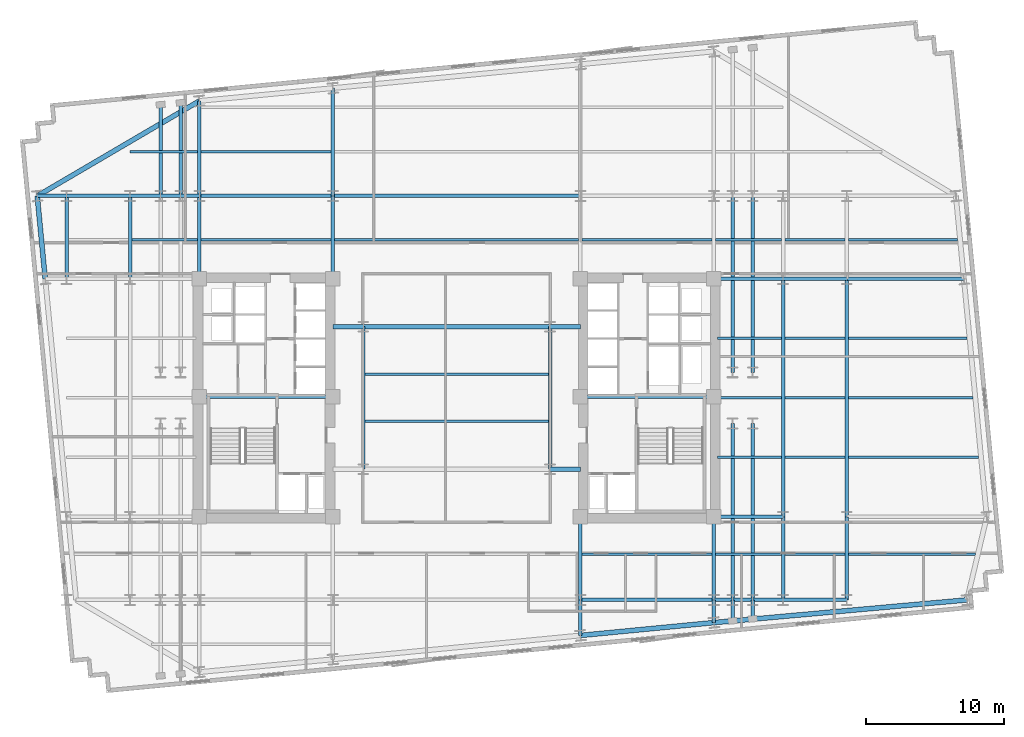
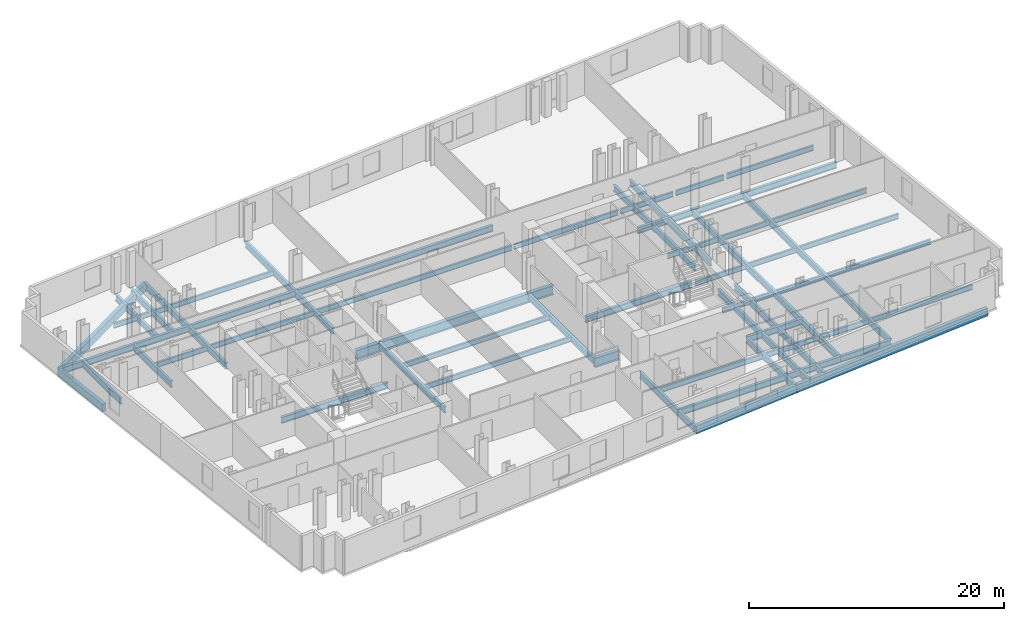
# One storey, part 2 of 10: 70 beams.
"""IFC4 building model written with IfcOpenShell, lengths in metres."""

from ifc_helpers import new_model, si_unit, direction, frame, origin, origin_2d, place, context, subcontext, project, spatial, rectangle, i_section, extrude, material, material_profile, profile_set, type_object, element, save


model = new_model("IFC4")

# Units and contexts
model_context = context("Model", 3, precision=1e-05, world=origin(), true_north=direction((0.0, 1.0)))
body_context = subcontext(model_context, "Body", "Model", "MODEL_VIEW")
ifc_project = project(units=[si_unit("LENGTHUNIT", "METRE"), si_unit("AREAUNIT", "SQUARE_METRE"), si_unit("VOLUMEUNIT", "CUBIC_METRE"), si_unit("PLANEANGLEUNIT", "RADIAN"), si_unit("MASSUNIT", "GRAM", prefix="KILO")], contexts=[model_context])

# Site, building, storey
site_placement = place(None, origin())
site = spatial("IfcSite", under=ifc_project, at=site_placement, CompositionType="ELEMENT")
building_placement = place(site_placement, origin())
building = spatial("IfcBuilding", under=site, at=building_placement, Name="Velakula Bourse", CompositionType="ELEMENT")
storey_placement = place(building_placement, frame((0.0, 0.0, 84.550048828125)))
storey = spatial("IfcBuildingStorey", under=building, at=storey_placement, Name="L22", CompositionType="ELEMENT", Elevation=84.550048828125)

# Beams
ifc_material_1 = material(Name="Steel IS 2062 Grade 350 (E350)", Category="steel")
ifc_material_profile_1 = material_profile(ifc_material_1, i_section(OverallWidth=0.25, OverallDepth=0.60009765625, WebThickness=0.01171875, FlangeThickness=0.023681640625, at=origin_2d()), Name="Steel IS 2062 Grade 350 (E350)")
ifc_profile_set_1 = profile_set([ifc_material_profile_1], Name="Steel IS 2062 Grade 350 (E350)")
beam_type_1 = type_object("IfcBeamType", Name="BM-GRD-600H", PredefinedType="BEAM", material=ifc_profile_set_1)
for number, where, z_axis, x_axis, name in (
    (1, (-18.60009765625, 0.10009765625, -0.47998046875), (1.0, 0.0, 0.0), (0.0, 1.0, 0.0), "L22 Primary Backbone Girder CRW-M"),
    (2, (8.949951171875, 0.10009765625, -0.47998046875), (1.0, 0.0, 0.0), (0.0, 1.0, 0.0), "L22 Primary Backbone Girder CRE-M"),
):
    element("IfcBeam", number, at=place(storey_placement, frame(where, z_axis=z_axis, x_axis=x_axis)), inside=storey, type_object=beam_type_1, Name=name, PredefinedType="BEAM", context=body_context, shape_type="SweptSolid", body=[
        extrude(i_section(OverallWidth=0.25, OverallDepth=0.60009765625, WebThickness=0.01171875, FlangeThickness=0.023681640625, at=origin_2d()), origin(), (0.0, 0.0, 1.0), 9.650146484375),
    ])
for number, where, z_axis, x_axis, name in (
    (3, (-6.75, -5.14990234375, -0.47998046875), (0.0, 1.0, 0.0), (-1.0, 0.0, 0.0), "L22 Primary Backbone Girder SPN-W"),
    (4, (6.75, -5.14990234375, -0.47998046875), (0.0, 1.0, 0.0), (-1.0, 0.0, 0.0), "L22 Primary Backbone Girder SPN-E"),
):
    element("IfcBeam", number, at=place(storey_placement, frame(where, z_axis=z_axis, x_axis=x_axis)), inside=storey, type_object=beam_type_1, Name=name, PredefinedType="BEAM", context=body_context, shape_type="SweptSolid", body=[
        extrude(i_section(OverallWidth=0.25, OverallDepth=0.60009765625, WebThickness=0.01171875, FlangeThickness=0.023681640625, at=origin_2d()), origin(), (0.0, 0.0, 1.0), 10.2998046875),
    ])
for number, where, z_axis, x_axis, name in (
    (5, (-18.60009765625, 8.60009765625, -0.47998046875), (0.0, 1.0, 0.0), (-1.0, 0.0, 0.0), "L22 Fulcrum Grid Girder FLC-WN"),
    (6, (-8.949951171875, 8.60009765625, -0.47998046875), (0.0, 1.0, 0.0), (-1.0, 0.0, 0.0), "L22 Fulcrum Grid Girder FLC-WCN"),
    (7, (8.949951171875, -14.60009765625, -0.47998046875), (0.0, 1.0, 0.0), (-1.0, 0.0, 0.0), "L22 Fulcrum Grid Girder FLC-ECS"),
    (8, (18.60009765625, -14.60009765625, -0.47998046875), (0.0, 1.0, 0.0), (-1.0, 0.0, 0.0), "L22 Fulcrum Grid Girder FLC-ES"),
):
    element("IfcBeam", number, at=place(storey_placement, frame(where, z_axis=z_axis, x_axis=x_axis)), inside=storey, type_object=beam_type_1, Name=name, PredefinedType="BEAM", context=body_context, shape_type="SweptSolid", body=[
        extrude(i_section(OverallWidth=0.25, OverallDepth=0.60009765625, WebThickness=0.01171875, FlangeThickness=0.023681640625, at=origin_2d()), origin(), (0.0, 0.0, 1.0), 6.0),
    ])
for number, where, z_axis, x_axis, name in (
    (9, (8.949951171875, -14.60009765625, -0.47998046875), (1.0, 0.0, 0.0), (0.0, 1.0, 0.0), "L22 Fulcrum Grid Girder FLC-S3"),
    (10, (-18.60009765625, 14.60009765625, -0.47998046875), (1.0, 0.0, 0.0), (0.0, 1.0, 0.0), "L22 Fulcrum Grid Girder FLC-N1"),
):
    element("IfcBeam", number, at=place(storey_placement, frame(where, z_axis=z_axis, x_axis=x_axis)), inside=storey, type_object=beam_type_1, Name=name, PredefinedType="BEAM", context=body_context, shape_type="SweptSolid", body=[
        extrude(i_section(OverallWidth=0.25, OverallDepth=0.60009765625, WebThickness=0.01171875, FlangeThickness=0.023681640625, at=origin_2d()), origin(), (0.0, 0.0, 1.0), 9.650146484375),
    ])
beam_1_placement = place(storey_placement, frame((-8.949951171875, 14.60009765625, -0.47998046875), z_axis=(1.0, 0.0, 0.0), x_axis=(0.0, 1.0, 0.0)))
element("IfcBeam", 11, at=beam_1_placement, inside=storey, type_object=beam_type_1, Name="L22 Fulcrum Grid Girder FLC-N2", PredefinedType="BEAM", context=body_context, shape_type="SweptSolid", body=[
    extrude(i_section(OverallWidth=0.25, OverallDepth=0.60009765625, WebThickness=0.01171875, FlangeThickness=0.023681640625, at=origin_2d()), origin(), (0.0, 0.0, 1.0), 17.89990234375),
])
for number, where, z_axis, x_axis, name in (
    (12, (19.949951171875, -14.60009765625, -0.47998046875), (0.0, 1.0, 0.0), (-1.0, 0.0, 0.0), "L22 Fulcrum Grid Girder FLC-PSE1"),
    (13, (19.949951171875, 1.85009765625, -0.47998046875), (0.0, 1.0, 0.0), (-1.0, 0.0, 0.0), "L22 Fulcrum Grid Girder FLC-PNE1"),
    (14, (21.39990234375, -14.60009765625, -0.47998046875), (0.0, 1.0, 0.0), (-1.0, 0.0, 0.0), "L22 Fulcrum Grid Girder FLC-PSE2"),
    (15, (21.39990234375, 1.85009765625, -0.47998046875), (0.0, 1.0, 0.0), (-1.0, 0.0, 0.0), "L22 Fulcrum Grid Girder FLC-PNE2"),
):
    element("IfcBeam", number, at=place(storey_placement, frame(where, z_axis=z_axis, x_axis=x_axis)), inside=storey, type_object=beam_type_1, Name=name, PredefinedType="BEAM", context=body_context, shape_type="SweptSolid", body=[
        extrude(i_section(OverallWidth=0.25, OverallDepth=0.60009765625, WebThickness=0.01171875, FlangeThickness=0.023681640625, at=origin_2d()), origin(), (0.0, 0.0, 1.0), 12.75),
    ])
beam_2_placement = place(storey_placement, frame((-23.60009765625, 14.60009765625, -0.47998046875), z_axis=(1.0, 0.0, 0.0), x_axis=(0.0, 1.0, 0.0)))
element("IfcBeam", 16, at=beam_2_placement, inside=storey, type_object=beam_type_1, Name="L22 Fulcrum Grid Girder MWG-WN2", PredefinedType="BEAM", context=body_context, shape_type="SweptSolid", body=[
    extrude(i_section(OverallWidth=0.25, OverallDepth=0.60009765625, WebThickness=0.01171875, FlangeThickness=0.023681640625, at=origin_2d()), origin(), (0.0, 0.0, 1.0), 5.0),
])
beam_3_placement = place(storey_placement, frame((-23.60009765625, 8.60009765625, -0.47998046875), z_axis=(0.0, 1.0, 0.0), x_axis=(-1.0, 0.0, 0.0)))
element("IfcBeam", 17, at=beam_3_placement, inside=storey, type_object=beam_type_1, Name="L22 Fulcrum Grid Girder MWG-WNS3", PredefinedType="BEAM", context=body_context, shape_type="SweptSolid", body=[
    extrude(i_section(OverallWidth=0.25, OverallDepth=0.60009765625, WebThickness=0.01171875, FlangeThickness=0.023681640625, at=origin_2d()), origin(), (0.0, 0.0, 1.0), 6.0),
])
for number, where, z_axis, x_axis, name in (
    (18, (18.60009765625, -14.60009765625, -0.47998046875), (1.0, 0.0, 0.0), (0.0, 1.0, 0.0), "L22 Fulcrum Grid Girder MWG-ES1"),
    (19, (18.60009765625, -8.60009765625, -0.47998046875), (1.0, 0.0, 0.0), (0.0, 1.0, 0.0), "L22 Fulcrum Grid Girder MWG-ES2"),
    (20, (18.60009765625, 8.60009765625, -0.47998046875), (1.0, 0.0, 0.0), (0.0, 1.0, 0.0), "L22 Fulcrum Grid Girder MWG-EN1"),
):
    element("IfcBeam", number, at=place(storey_placement, frame(where, z_axis=z_axis, x_axis=x_axis)), inside=storey, type_object=beam_type_1, Name=name, PredefinedType="BEAM", context=body_context, shape_type="SweptSolid", body=[
        extrude(i_section(OverallWidth=0.25, OverallDepth=0.60009765625, WebThickness=0.01171875, FlangeThickness=0.023681640625, at=origin_2d()), origin(), (0.0, 0.0, 1.0), 5.0),
    ])
beam_4_placement = place(storey_placement, frame((23.60009765625, -14.60009765625, -0.47998046875), z_axis=(0.0, 1.0, 0.0), x_axis=(-1.0, 0.0, 0.0)))
element("IfcBeam", 21, at=beam_4_placement, inside=storey, type_object=beam_type_1, Name="L22 Fulcrum Grid Girder MWG-ENS1", PredefinedType="BEAM", context=body_context, shape_type="SweptSolid", body=[
    extrude(i_section(OverallWidth=0.25, OverallDepth=0.60009765625, WebThickness=0.01171875, FlangeThickness=0.023681640625, at=origin_2d()), origin(), (0.0, 0.0, 1.0), 6.0),
])
beam_5_placement = place(storey_placement, frame((23.60009765625, -8.60009765625, -0.47998046875), z_axis=(0.0, 1.0, 0.0), x_axis=(-1.0, 0.0, 0.0)))
element("IfcBeam", 22, at=beam_5_placement, inside=storey, type_object=beam_type_1, Name="L22 Fulcrum Grid Girder MWG-ENS2", PredefinedType="BEAM", context=body_context, shape_type="SweptSolid", body=[
    extrude(i_section(OverallWidth=0.25, OverallDepth=0.60009765625, WebThickness=0.01171875, FlangeThickness=0.023681640625, at=origin_2d()), origin(), (0.0, 0.0, 1.0), 17.2001953125),
])
beam_6_placement = place(storey_placement, frame((-28.199951171875, 14.60009765625, -0.47998046875), z_axis=(1.0, 0.0, 0.0), x_axis=(0.0, 1.0, 0.0)))
element("IfcBeam", 23, at=beam_6_placement, inside=storey, type_object=beam_type_1, Name="L22 Fulcrum Grid Girder WNG-WN2", PredefinedType="BEAM", context=body_context, shape_type="SweptSolid", body=[
    extrude(i_section(OverallWidth=0.25, OverallDepth=0.60009765625, WebThickness=0.01171875, FlangeThickness=0.023681640625, at=origin_2d()), origin(), (0.0, 0.0, 1.0), 4.599853515625),
])
beam_7_placement = place(storey_placement, frame((-28.199951171875, 8.60009765625, -0.47998046875), z_axis=(0.0, 1.0, 0.0), x_axis=(-1.0, 0.0, 0.0)))
element("IfcBeam", 24, at=beam_7_placement, inside=storey, type_object=beam_type_1, Name="L22 Fulcrum Grid Girder WNG-WNS3", PredefinedType="BEAM", context=body_context, shape_type="SweptSolid", body=[
    extrude(i_section(OverallWidth=0.25, OverallDepth=0.60009765625, WebThickness=0.01171875, FlangeThickness=0.023681640625, at=origin_2d()), origin(), (0.0, 0.0, 1.0), 6.0),
])
for number, where, z_axis, x_axis, name in (
    (25, (23.60009765625, -14.60009765625, -0.47998046875), (1.0, 0.0, 0.0), (0.0, 1.0, 0.0), "L22 Fulcrum Grid Girder WNG-ES1"),
    (26, (23.60009765625, 8.60009765625, -0.47998046875), (1.0, 0.0, 0.0), (0.0, 1.0, 0.0), "L22 Fulcrum Grid Girder WNG-EN1"),
):
    element("IfcBeam", number, at=place(storey_placement, frame(where, z_axis=z_axis, x_axis=x_axis)), inside=storey, type_object=beam_type_1, Name=name, PredefinedType="BEAM", context=body_context, shape_type="SweptSolid", body=[
        extrude(i_section(OverallWidth=0.25, OverallDepth=0.60009765625, WebThickness=0.01171875, FlangeThickness=0.023681640625, at=origin_2d()), origin(), (0.0, 0.0, 1.0), 4.599853515625),
    ])
beam_8_placement = place(storey_placement, frame((28.199951171875, -14.60009765625, -0.47998046875), z_axis=(0.0, 1.0, 0.0), x_axis=(-1.0, 0.0, 0.0)))
element("IfcBeam", 27, at=beam_8_placement, inside=storey, type_object=beam_type_1, Name="L22 Fulcrum Grid Girder WNG-ENS1", PredefinedType="BEAM", context=body_context, shape_type="SweptSolid", body=[
    extrude(i_section(OverallWidth=0.25, OverallDepth=0.60009765625, WebThickness=0.01171875, FlangeThickness=0.023681640625, at=origin_2d()), origin(), (0.0, 0.0, 1.0), 6.0),
])
beam_9_placement = place(storey_placement, frame((28.199951171875, -8.60009765625, -0.47998046875), z_axis=(0.0, 1.0, 0.0), x_axis=(-1.0, 0.0, 0.0)))
element("IfcBeam", 28, at=beam_9_placement, inside=storey, type_object=beam_type_1, Name="L22 Fulcrum Grid Girder WNG-ENS2", PredefinedType="BEAM", context=body_context, shape_type="SweptSolid", body=[
    extrude(i_section(OverallWidth=0.25, OverallDepth=0.60009765625, WebThickness=0.01171875, FlangeThickness=0.023681640625, at=origin_2d()), origin(), (0.0, 0.0, 1.0), 17.2001953125),
])
beam_10_placement = place(storey_placement, frame((8.949951171875, -14.60009765625, -0.47998046875), z_axis=(0.0, -1.0, 0.0), x_axis=(1.0, 0.0, 0.0)))
element("IfcBeam", 29, at=beam_10_placement, inside=storey, type_object=beam_type_1, Name="L22 Perimeter Tie Girder S3", PredefinedType="BEAM", context=body_context, shape_type="SweptSolid", body=[
    extrude(i_section(OverallWidth=0.25, OverallDepth=0.60009765625, WebThickness=0.01171875, FlangeThickness=0.023681640625, at=origin_2d()), origin(), (0.0, 0.0, 1.0), 2.568359375),
])
beam_11_placement = place(storey_placement, frame((18.60009765625, -14.60009765625, -0.47998046875), z_axis=(0.0, -1.0, 0.0), x_axis=(1.0, 0.0, 0.0)))
element("IfcBeam", 30, at=beam_11_placement, inside=storey, type_object=beam_type_1, Name="L22 Perimeter Tie Girder S4", PredefinedType="BEAM", context=body_context, shape_type="SweptSolid", body=[
    extrude(i_section(OverallWidth=0.25, OverallDepth=0.60009765625, WebThickness=0.01171875, FlangeThickness=0.023681640625, at=origin_2d()), origin(), (0.0, 0.0, 1.0), 1.63916015625),
])
beam_12_placement = place(storey_placement, frame((-18.60009765625, 14.60009765625, -0.47998046875), z_axis=(0.0, 1.0, 0.0), x_axis=(-1.0, 0.0, 0.0)))
element("IfcBeam", 31, at=beam_12_placement, inside=storey, type_object=beam_type_1, Name="L22 Perimeter Tie Girder N1", PredefinedType="BEAM", context=body_context, shape_type="SweptSolid", body=[
    extrude(i_section(OverallWidth=0.25, OverallDepth=0.60009765625, WebThickness=0.01171875, FlangeThickness=0.023681640625, at=origin_2d()), origin(), (0.0, 0.0, 1.0), 6.868896484375),
])
beam_13_placement = place(storey_placement, frame((-8.949951171875, 14.60009765625, -0.47998046875), z_axis=(0.0, 1.0, 0.0), x_axis=(-1.0, 0.0, 0.0)))
element("IfcBeam", 32, at=beam_13_placement, inside=storey, type_object=beam_type_1, Name="L22 Perimeter Tie Girder N2", PredefinedType="BEAM", context=body_context, shape_type="SweptSolid", body=[
    extrude(i_section(OverallWidth=0.25, OverallDepth=0.60009765625, WebThickness=0.01171875, FlangeThickness=0.023681640625, at=origin_2d()), origin(), (0.0, 0.0, 1.0), 7.798095703125),
])
beam_14_placement = place(storey_placement, frame((-28.199951171875, 14.60009765625, -0.47998046875), z_axis=(-1.0, 0.0, 0.0), x_axis=(0.0, -1.0, 0.0)))
element("IfcBeam", 33, at=beam_14_placement, inside=storey, type_object=beam_type_1, Name="L22 Perimeter Tie Girder W4", PredefinedType="BEAM", context=body_context, shape_type="SweptSolid", body=[
    extrude(i_section(OverallWidth=0.25, OverallDepth=0.60009765625, WebThickness=0.01171875, FlangeThickness=0.023681640625, at=origin_2d()), origin(), (0.0, 0.0, 1.0), 2.119873046875),
])
beam_15_placement = place(storey_placement, frame((28.199951171875, 8.60009765625, -0.47998046875), z_axis=(1.0, 0.0, 0.0), x_axis=(0.0, 1.0, 0.0)))
element("IfcBeam", 34, at=beam_15_placement, inside=storey, type_object=beam_type_1, Name="L22 Perimeter Tie Girder E3", PredefinedType="BEAM", context=body_context, shape_type="SweptSolid", body=[
    extrude(i_section(OverallWidth=0.25, OverallDepth=0.60009765625, WebThickness=0.01171875, FlangeThickness=0.023681640625, at=origin_2d()), origin(), (0.0, 0.0, 1.0), 8.463623046875),
])
beam_16_placement = place(storey_placement, frame((19.949951171875, -14.60009765625, -0.47998046875), z_axis=(0.0, -1.0, 0.0), x_axis=(1.0, 0.0, 0.0)))
element("IfcBeam", 35, at=beam_16_placement, inside=storey, type_object=beam_type_1, Name="L22 Perimeter Tie Girder P03", PredefinedType="BEAM", context=body_context, shape_type="SweptSolid", body=[
    extrude(i_section(OverallWidth=0.25, OverallDepth=0.60009765625, WebThickness=0.01171875, FlangeThickness=0.023681640625, at=origin_2d()), origin(), (0.0, 0.0, 1.0), 1.509033203125),
])
beam_17_placement = place(storey_placement, frame((21.39990234375, -14.60009765625, -0.47998046875), z_axis=(0.0, -1.0, 0.0), x_axis=(1.0, 0.0, 0.0)))
element("IfcBeam", 36, at=beam_17_placement, inside=storey, type_object=beam_type_1, Name="L22 Perimeter Tie Girder P04", PredefinedType="BEAM", context=body_context, shape_type="SweptSolid", body=[
    extrude(i_section(OverallWidth=0.25, OverallDepth=0.60009765625, WebThickness=0.01171875, FlangeThickness=0.023681640625, at=origin_2d()), origin(), (0.0, 0.0, 1.0), 1.369384765625),
])
beam_18_placement = place(storey_placement, frame((-21.39990234375, 14.60009765625, -0.47998046875), z_axis=(0.0, 1.0, 0.0), x_axis=(-1.0, 0.0, 0.0)))
element("IfcBeam", 37, at=beam_18_placement, inside=storey, type_object=beam_type_1, Name="L22 Perimeter Tie Girder P05", PredefinedType="BEAM", context=body_context, shape_type="SweptSolid", body=[
    extrude(i_section(OverallWidth=0.25, OverallDepth=0.60009765625, WebThickness=0.01171875, FlangeThickness=0.023681640625, at=origin_2d()), origin(), (0.0, 0.0, 1.0), 6.59912109375),
])
beam_19_placement = place(storey_placement, frame((-19.949951171875, 14.60009765625, -0.47998046875), z_axis=(0.0, 1.0, 0.0), x_axis=(-1.0, 0.0, 0.0)))
element("IfcBeam", 38, at=beam_19_placement, inside=storey, type_object=beam_type_1, Name="L22 Perimeter Tie Girder P06", PredefinedType="BEAM", context=body_context, shape_type="SweptSolid", body=[
    extrude(i_section(OverallWidth=0.25, OverallDepth=0.60009765625, WebThickness=0.01171875, FlangeThickness=0.023681640625, at=origin_2d()), origin(), (0.0, 0.0, 1.0), 6.73876953125),
])
ifc_material_profile_2 = material_profile(ifc_material_1, i_section(OverallWidth=0.35009765625, OverallDepth=0.89990234375, WebThickness=0.02001953125, FlangeThickness=0.031982421875, at=origin_2d()), Name="Steel IS 2062 Grade 350 (E350)")
ifc_profile_set_2 = profile_set([ifc_material_profile_2], Name="Steel IS 2062 Grade 350 (E350)")
beam_type_2 = type_object("IfcBeamType", Name="BM-LNK-900", PredefinedType="BEAM", material=ifc_profile_set_2)
for number, where, z_axis, x_axis, name in (
    (39, (6.75, -5.14990234375, -0.630126953125), (1.0, 0.0, 0.0), (0.0, 1.0, 0.0), "L22 Primary Backbone Girder LNK-S3"),
    (40, (-8.949951171875, 5.14990234375, -0.630126953125), (1.0, 0.0, 0.0), (0.0, 1.0, 0.0), "L22 Primary Backbone Girder LNK-N1"),
):
    element("IfcBeam", number, at=place(storey_placement, frame(where, z_axis=z_axis, x_axis=x_axis)), inside=storey, type_object=beam_type_2, Name=name, PredefinedType="BEAM", context=body_context, shape_type="SweptSolid", body=[
        extrude(i_section(OverallWidth=0.35009765625, OverallDepth=0.89990234375, WebThickness=0.02001953125, FlangeThickness=0.031982421875, at=origin_2d()), origin(), (0.0, 0.0, 1.0), 2.199951171875),
    ])
beam_20_placement = place(storey_placement, frame((-6.75, 5.14990234375, -0.630126953125), z_axis=(1.0, 0.0, 0.0), x_axis=(0.0, 1.0, 0.0)))
element("IfcBeam", 41, at=beam_20_placement, inside=storey, type_object=beam_type_2, Name="L22 Primary Backbone Girder LNK-N2", PredefinedType="BEAM", context=body_context, shape_type="SweptSolid", body=[
    extrude(i_section(OverallWidth=0.35009765625, OverallDepth=0.89990234375, WebThickness=0.02001953125, FlangeThickness=0.031982421875, at=origin_2d()), origin(), (0.0, 0.0, 1.0), 13.5),
])
beam_21_placement = place(storey_placement, frame((6.75, 5.14990234375, -0.630126953125), z_axis=(1.0, 0.0, 0.0), x_axis=(0.0, 1.0, 0.0)))
element("IfcBeam", 42, at=beam_21_placement, inside=storey, type_object=beam_type_2, Name="L22 Primary Backbone Girder LNK-N3", PredefinedType="BEAM", context=body_context, shape_type="SweptSolid", body=[
    extrude(i_section(OverallWidth=0.35009765625, OverallDepth=0.89990234375, WebThickness=0.02001953125, FlangeThickness=0.031982421875, at=origin_2d()), origin(), (0.0, 0.0, 1.0), 2.199951171875),
])
ifc_material_profile_3 = material_profile(ifc_material_1, i_section(OverallWidth=0.179931640625, OverallDepth=0.5, WebThickness=0.01025390625, FlangeThickness=0.01708984375, at=origin_2d()), Name="Steel IS 2062 Grade 350 (E350)")
ifc_profile_set_3 = profile_set([ifc_material_profile_3], Name="Steel IS 2062 Grade 350 (E350)")
beam_type_3 = type_object("IfcBeamType", Name="JST-TWR-500", PredefinedType="JOIST", material=ifc_profile_set_3)
beam_22_placement = place(storey_placement, frame((9.074951171875, -11.300048828125, -0.429931640625), z_axis=(1.0, 0.0, 0.0), x_axis=(0.0, 1.0, 0.0)))
element("IfcBeam", 43, at=beam_22_placement, inside=storey, type_object=beam_type_3, Name="L22 Trading Floor Composite Joist 08", PredefinedType="JOIST", context=body_context, shape_type="SweptSolid", body=[
    extrude(i_section(OverallWidth=0.179931640625, OverallDepth=0.5, WebThickness=0.01025390625, FlangeThickness=0.01708984375, at=origin_2d()), origin(), (0.0, 0.0, 1.0), 9.400146484375),
])
beam_23_placement = place(storey_placement, frame((18.72509765625, -11.300048828125, -0.429931640625), z_axis=(1.0, 0.0, 0.0), x_axis=(0.0, 1.0, 0.0)))
element("IfcBeam", 44, at=beam_23_placement, inside=storey, type_object=beam_type_3, Name="L22 Trading Floor Composite Joist 09", PredefinedType="JOIST", context=body_context, shape_type="SweptSolid", body=[
    extrude(i_section(OverallWidth=0.179931640625, OverallDepth=0.5, WebThickness=0.01025390625, FlangeThickness=0.01708984375, at=origin_2d()), origin(), (0.0, 0.0, 1.0), 4.75),
])
beam_24_placement = place(storey_placement, frame((23.72509765625, -11.300048828125, -0.429931640625), z_axis=(1.0, 0.0, 0.0), x_axis=(0.0, 1.0, 0.0)))
element("IfcBeam", 45, at=beam_24_placement, inside=storey, type_object=beam_type_3, Name="L22 Trading Floor Composite Joist 10", PredefinedType="JOIST", context=body_context, shape_type="SweptSolid", body=[
    extrude(i_section(OverallWidth=0.179931640625, OverallDepth=0.5, WebThickness=0.01025390625, FlangeThickness=0.01708984375, at=origin_2d()), origin(), (0.0, 0.0, 1.0), 4.349853515625),
])
beam_25_placement = place(storey_placement, frame((28.324951171875, -11.300048828125, -0.429931640625), z_axis=(1.0, 0.0, 0.0), x_axis=(0.0, 1.0, 0.0)))
element("IfcBeam", 46, at=beam_25_placement, inside=storey, type_object=beam_type_3, Name="L22 Trading Floor Composite Joist 11", PredefinedType="JOIST", context=body_context, shape_type="SweptSolid", body=[
    extrude(i_section(OverallWidth=0.179931640625, OverallDepth=0.5, WebThickness=0.01025390625, FlangeThickness=0.01708984375, at=origin_2d()), origin(), (0.0, 0.0, 1.0), 9.170654296875),
])
beam_26_placement = place(storey_placement, frame((-23.47509765625, 11.449951171875, -0.429931640625), z_axis=(1.0, 0.0, 0.0), x_axis=(0.0, 1.0, 0.0)))
element("IfcBeam", 47, at=beam_26_placement, inside=storey, type_object=beam_type_3, Name="L22 Trading Floor Composite Joist 13", PredefinedType="JOIST", context=body_context, shape_type="SweptSolid", body=[
    extrude(i_section(OverallWidth=0.179931640625, OverallDepth=0.5, WebThickness=0.01025390625, FlangeThickness=0.01708984375, at=origin_2d()), origin(), (0.0, 0.0, 1.0), 4.75),
])
beam_27_placement = place(storey_placement, frame((-18.47509765625, 11.449951171875, -0.429931640625), z_axis=(1.0, 0.0, 0.0), x_axis=(0.0, 1.0, 0.0)))
element("IfcBeam", 48, at=beam_27_placement, inside=storey, type_object=beam_type_3, Name="L22 Trading Floor Composite Joist 14", PredefinedType="JOIST", context=body_context, shape_type="SweptSolid", body=[
    extrude(i_section(OverallWidth=0.179931640625, OverallDepth=0.5, WebThickness=0.01025390625, FlangeThickness=0.01708984375, at=origin_2d()), origin(), (0.0, 0.0, 1.0), 9.400146484375),
])
beam_28_placement = place(storey_placement, frame((-8.824951171875, 11.449951171875, -0.429931640625), z_axis=(1.0, 0.0, 0.0), x_axis=(0.0, 1.0, 0.0)))
element("IfcBeam", 49, at=beam_28_placement, inside=storey, type_object=beam_type_3, Name="L22 Trading Floor Composite Joist 15", PredefinedType="JOIST", context=body_context, shape_type="SweptSolid", body=[
    extrude(i_section(OverallWidth=0.179931640625, OverallDepth=0.5, WebThickness=0.01025390625, FlangeThickness=0.01708984375, at=origin_2d()), origin(), (0.0, 0.0, 1.0), 17.64990234375),
])
beam_29_placement = place(storey_placement, frame((9.074951171875, 11.449951171875, -0.429931640625), z_axis=(1.0, 0.0, 0.0), x_axis=(0.0, 1.0, 0.0)))
element("IfcBeam", 50, at=beam_29_placement, inside=storey, type_object=beam_type_3, Name="L22 Trading Floor Composite Joist 16", PredefinedType="JOIST", context=body_context, shape_type="SweptSolid", body=[
    extrude(i_section(OverallWidth=0.179931640625, OverallDepth=0.5, WebThickness=0.01025390625, FlangeThickness=0.01708984375, at=origin_2d()), origin(), (0.0, 0.0, 1.0), 9.400146484375),
])
beam_30_placement = place(storey_placement, frame((18.72509765625, 11.449951171875, -0.429931640625), z_axis=(1.0, 0.0, 0.0), x_axis=(0.0, 1.0, 0.0)))
element("IfcBeam", 51, at=beam_30_placement, inside=storey, type_object=beam_type_3, Name="L22 Trading Floor Composite Joist 17", PredefinedType="JOIST", context=body_context, shape_type="SweptSolid", body=[
    extrude(i_section(OverallWidth=0.179931640625, OverallDepth=0.5, WebThickness=0.01025390625, FlangeThickness=0.01708984375, at=origin_2d()), origin(), (0.0, 0.0, 1.0), 4.75),
])
beam_31_placement = place(storey_placement, frame((23.72509765625, 11.449951171875, -0.429931640625), z_axis=(1.0, 0.0, 0.0), x_axis=(0.0, 1.0, 0.0)))
element("IfcBeam", 52, at=beam_31_placement, inside=storey, type_object=beam_type_3, Name="L22 Trading Floor Composite Joist 18", PredefinedType="JOIST", context=body_context, shape_type="SweptSolid", body=[
    extrude(i_section(OverallWidth=0.179931640625, OverallDepth=0.5, WebThickness=0.01025390625, FlangeThickness=0.01708984375, at=origin_2d()), origin(), (0.0, 0.0, 1.0), 4.349853515625),
])
beam_32_placement = place(storey_placement, frame((28.324951171875, 11.449951171875, -0.429931640625), z_axis=(1.0, 0.0, 0.0), x_axis=(0.0, 1.0, 0.0)))
element("IfcBeam", 53, at=beam_32_placement, inside=storey, type_object=beam_type_3, Name="L22 Trading Floor Composite Joist 19", PredefinedType="JOIST", context=body_context, shape_type="SweptSolid", body=[
    extrude(i_section(OverallWidth=0.179931640625, OverallDepth=0.5, WebThickness=0.01025390625, FlangeThickness=0.01708984375, at=origin_2d()), origin(), (0.0, 0.0, 1.0), 7.888427734375),
])
beam_33_placement = place(storey_placement, frame((-23.60009765625, 17.800048828125, -0.429931640625), z_axis=(1.0, 0.0, 0.0), x_axis=(0.0, 1.0, 0.0)))
element("IfcBeam", 54, at=beam_33_placement, inside=storey, type_object=beam_type_3, Name="L22 Trading Floor Composite Joist 20", PredefinedType="JOIST", context=body_context, shape_type="SweptSolid", body=[
    extrude(i_section(OverallWidth=0.179931640625, OverallDepth=0.5, WebThickness=0.01025390625, FlangeThickness=0.01708984375, at=origin_2d()), origin(), (0.0, 0.0, 1.0), 4.875),
])
beam_34_placement = place(storey_placement, frame((-18.47509765625, 17.800048828125, -0.429931640625), z_axis=(1.0, 0.0, 0.0), x_axis=(0.0, 1.0, 0.0)))
element("IfcBeam", 55, at=beam_34_placement, inside=storey, type_object=beam_type_3, Name="L22 Trading Floor Composite Joist 21", PredefinedType="JOIST", context=body_context, shape_type="SweptSolid", body=[
    extrude(i_section(OverallWidth=0.179931640625, OverallDepth=0.5, WebThickness=0.01025390625, FlangeThickness=0.01708984375, at=origin_2d()), origin(), (0.0, 0.0, 1.0), 9.400146484375),
])
for number, where, z_axis, x_axis, name in (
    (56, (-6.625, -1.699951171875, -0.429931640625), (1.0, 0.0, 0.0), (0.0, 1.0, 0.0), "L22 Trading Floor Composite Joist 31"),
    (57, (-6.625, 1.699951171875, -0.429931640625), (1.0, 0.0, 0.0), (0.0, 1.0, 0.0), "L22 Trading Floor Composite Joist 32"),
):
    element("IfcBeam", number, at=place(storey_placement, frame(where, z_axis=z_axis, x_axis=x_axis)), inside=storey, type_object=beam_type_3, Name=name, PredefinedType="JOIST", context=body_context, shape_type="SweptSolid", body=[
        extrude(i_section(OverallWidth=0.179931640625, OverallDepth=0.5, WebThickness=0.01025390625, FlangeThickness=0.01708984375, at=origin_2d()), origin(), (0.0, 0.0, 1.0), 13.25),
    ])
beam_35_placement = place(storey_placement, frame((18.85009765625, -4.300048828125, -0.429931640625), z_axis=(1.0, 0.0, 0.0), x_axis=(0.0, 1.0, 0.0)))
element("IfcBeam", 58, at=beam_35_placement, inside=storey, type_object=beam_type_3, Name="L22 Trading Floor Composite Joist 35", PredefinedType="JOIST", context=body_context, shape_type="SweptSolid", body=[
    extrude(i_section(OverallWidth=0.179931640625, OverallDepth=0.5, WebThickness=0.01025390625, FlangeThickness=0.01708984375, at=origin_2d()), origin(), (0.0, 0.0, 1.0), 4.625),
])
beam_36_placement = place(storey_placement, frame((23.72509765625, -4.300048828125, -0.429931640625), z_axis=(1.0, 0.0, 0.0), x_axis=(0.0, 1.0, 0.0)))
element("IfcBeam", 59, at=beam_36_placement, inside=storey, type_object=beam_type_3, Name="L22 Trading Floor Composite Joist 36", PredefinedType="JOIST", context=body_context, shape_type="SweptSolid", body=[
    extrude(i_section(OverallWidth=0.179931640625, OverallDepth=0.5, WebThickness=0.01025390625, FlangeThickness=0.01708984375, at=origin_2d()), origin(), (0.0, 0.0, 1.0), 4.349853515625),
])
beam_37_placement = place(storey_placement, frame((28.324951171875, -4.300048828125, -0.429931640625), z_axis=(1.0, 0.0, 0.0), x_axis=(0.0, 1.0, 0.0)))
element("IfcBeam", 60, at=beam_37_placement, inside=storey, type_object=beam_type_3, Name="L22 Trading Floor Composite Joist 37", PredefinedType="JOIST", context=body_context, shape_type="SweptSolid", body=[
    extrude(i_section(OverallWidth=0.179931640625, OverallDepth=0.5, WebThickness=0.01025390625, FlangeThickness=0.01708984375, at=origin_2d()), origin(), (0.0, 0.0, 1.0), 9.405029296875),
])
beam_38_placement = place(storey_placement, frame((18.85009765625, 0.0, -0.429931640625), z_axis=(1.0, 0.0, 0.0), x_axis=(0.0, 1.0, 0.0)))
element("IfcBeam", 61, at=beam_38_placement, inside=storey, type_object=beam_type_3, Name="L22 Trading Floor Composite Joist 40", PredefinedType="JOIST", context=body_context, shape_type="SweptSolid", body=[
    extrude(i_section(OverallWidth=0.179931640625, OverallDepth=0.5, WebThickness=0.01025390625, FlangeThickness=0.01708984375, at=origin_2d()), origin(), (0.0, 0.0, 1.0), 4.625),
])
beam_39_placement = place(storey_placement, frame((23.72509765625, 0.0, -0.429931640625), z_axis=(1.0, 0.0, 0.0), x_axis=(0.0, 1.0, 0.0)))
element("IfcBeam", 62, at=beam_39_placement, inside=storey, type_object=beam_type_3, Name="L22 Trading Floor Composite Joist 41", PredefinedType="JOIST", context=body_context, shape_type="SweptSolid", body=[
    extrude(i_section(OverallWidth=0.179931640625, OverallDepth=0.5, WebThickness=0.01025390625, FlangeThickness=0.01708984375, at=origin_2d()), origin(), (0.0, 0.0, 1.0), 4.349853515625),
])
beam_40_placement = place(storey_placement, frame((28.324951171875, 0.0, -0.429931640625), z_axis=(1.0, 0.0, 0.0), x_axis=(0.0, 1.0, 0.0)))
element("IfcBeam", 63, at=beam_40_placement, inside=storey, type_object=beam_type_3, Name="L22 Trading Floor Composite Joist 42", PredefinedType="JOIST", context=body_context, shape_type="SweptSolid", body=[
    extrude(i_section(OverallWidth=0.179931640625, OverallDepth=0.5, WebThickness=0.01025390625, FlangeThickness=0.01708984375, at=origin_2d()), origin(), (0.0, 0.0, 1.0), 8.990966796875),
])
beam_41_placement = place(storey_placement, frame((18.85009765625, 4.300048828125, -0.429931640625), z_axis=(1.0, 0.0, 0.0), x_axis=(0.0, 1.0, 0.0)))
element("IfcBeam", 64, at=beam_41_placement, inside=storey, type_object=beam_type_3, Name="L22 Trading Floor Composite Joist 45", PredefinedType="JOIST", context=body_context, shape_type="SweptSolid", body=[
    extrude(i_section(OverallWidth=0.179931640625, OverallDepth=0.5, WebThickness=0.01025390625, FlangeThickness=0.01708984375, at=origin_2d()), origin(), (0.0, 0.0, 1.0), 4.625),
])
beam_42_placement = place(storey_placement, frame((23.72509765625, 4.300048828125, -0.429931640625), z_axis=(1.0, 0.0, 0.0), x_axis=(0.0, 1.0, 0.0)))
element("IfcBeam", 65, at=beam_42_placement, inside=storey, type_object=beam_type_3, Name="L22 Trading Floor Composite Joist 46", PredefinedType="JOIST", context=body_context, shape_type="SweptSolid", body=[
    extrude(i_section(OverallWidth=0.179931640625, OverallDepth=0.5, WebThickness=0.01025390625, FlangeThickness=0.01708984375, at=origin_2d()), origin(), (0.0, 0.0, 1.0), 4.349853515625),
])
beam_43_placement = place(storey_placement, frame((28.324951171875, 4.300048828125, -0.429931640625), z_axis=(1.0, 0.0, 0.0), x_axis=(0.0, 1.0, 0.0)))
element("IfcBeam", 66, at=beam_43_placement, inside=storey, type_object=beam_type_3, Name="L22 Trading Floor Composite Joist 47", PredefinedType="JOIST", context=body_context, shape_type="SweptSolid", body=[
    extrude(i_section(OverallWidth=0.179931640625, OverallDepth=0.5, WebThickness=0.01025390625, FlangeThickness=0.01708984375, at=origin_2d()), origin(), (0.0, 0.0, 1.0), 8.576904296875),
])
ifc_material_2 = material(Name="Precast concrete M45 (fck 45 MPa)", Category="concrete")
ifc_material_profile_4 = material_profile(ifc_material_2, rectangle(XDim=0.35009765625, YDim=0.75, at=origin_2d()), Name="Precast concrete M45 (fck 45 MPa)")
ifc_profile_set_4 = profile_set([ifc_material_profile_4], Name="Precast concrete M45 (fck 45 MPa)")
beam_type_4 = type_object("IfcBeamType", Name="SPN-BRICK-750", PredefinedType="SPANDREL", material=ifc_profile_set_4)
beam_44_placement = place(storey_placement, frame((8.949951171875, -17.16845703125, -0.554931640625), z_axis=(0.99539623971, 0.095845323155, 0.0), x_axis=(-0.095845323155, 0.99539623971, 0.0)))
element("IfcBeam", 67, at=beam_44_placement, inside=storey, type_object=beam_type_4, Name="L22 Brick-Faced Precast Spandrel S3-S4", PredefinedType="SPANDREL", context=body_context, shape_type="SweptSolid", body=[
    extrude(rectangle(XDim=0.35009765625, YDim=0.75, at=origin_2d()), origin(), (0.0, 0.0, 1.0), 9.69482421875),
])
beam_45_placement = place(storey_placement, frame((-29.7421875, 8.60009765625, -0.554931640625), z_axis=(-0.095829714309, 0.995397742541, 0.0), x_axis=(-0.995397742541, -0.095829714309, 0.0)))
element("IfcBeam", 68, at=beam_45_placement, inside=storey, type_object=beam_type_4, Name="L22 Brick-Faced Precast Spandrel W3-W4", PredefinedType="SPANDREL", context=body_context, shape_type="SweptSolid", body=[
    extrude(rectangle(XDim=0.35009765625, YDim=0.75, at=origin_2d()), origin(), (0.0, 0.0, 1.0), 6.02783203125),
])
beam_46_placement = place(storey_placement, frame((18.60009765625, -16.2392578125, -0.554931640625), z_axis=(0.99600727708, 0.089272078527, 0.0), x_axis=(-0.089272078527, 0.99600727708, 0.0)))
element("IfcBeam", 69, at=beam_46_placement, inside=storey, type_object=beam_type_4, Name="L22 Brick-Faced Precast Spandrel S4-E1", PredefinedType="SPANDREL", context=body_context, shape_type="SweptSolid", body=[
    extrude(rectangle(XDim=0.35009765625, YDim=0.75, at=origin_2d()), origin(), (0.0, 0.0, 1.0), 18.361328125),
])
beam_47_placement = place(storey_placement, frame((-18.60009765625, 21.468994140625, -0.554931640625), z_axis=(-0.862739335169, -0.505648929151, 0.0), x_axis=(0.505648929151, -0.862739335169, 0.0)))
element("IfcBeam", 70, at=beam_47_placement, inside=storey, type_object=beam_type_4, Name="L22 Brick-Faced Precast Spandrel N1-W4", PredefinedType="SPANDREL", context=body_context, shape_type="SweptSolid", body=[
    extrude(rectangle(XDim=0.35009765625, YDim=0.75, at=origin_2d()), origin(), (0.0, 0.0, 1.0), 13.584228515625),
])

save(model, "model.ifc")
